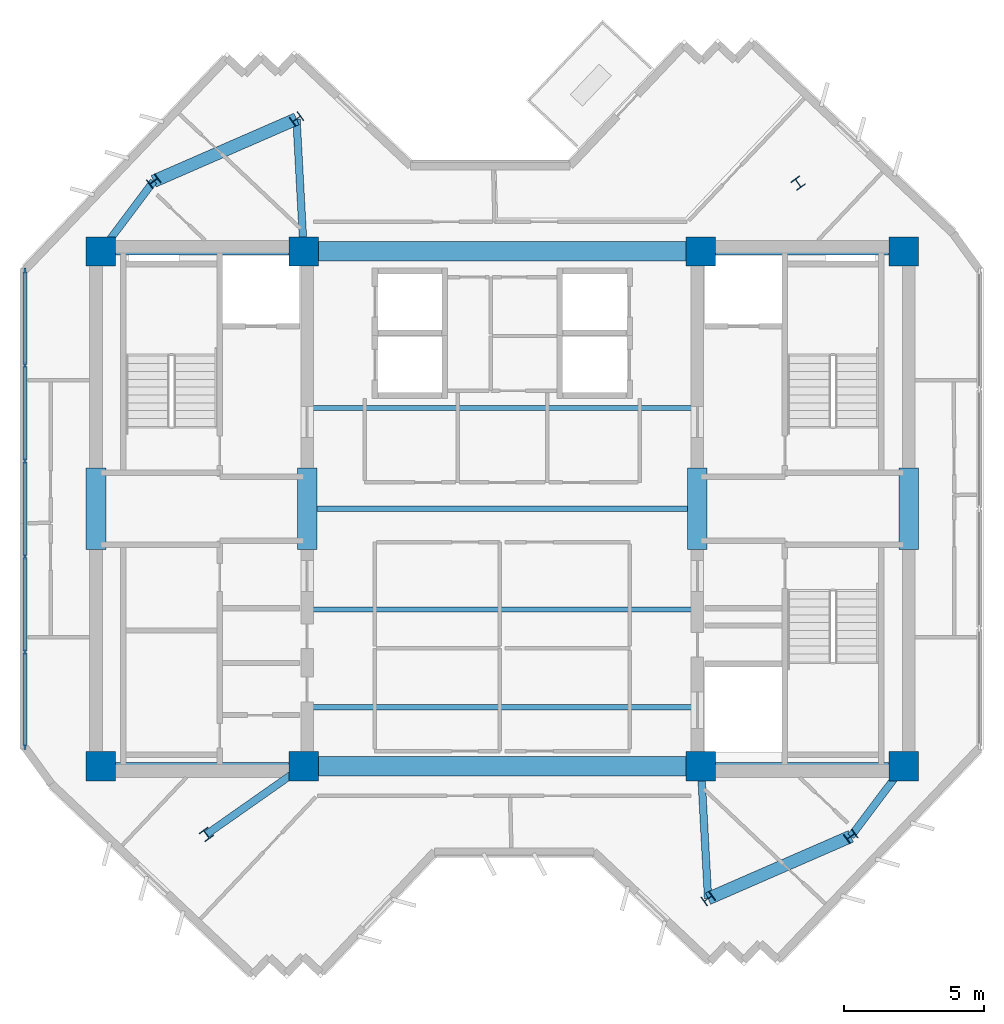
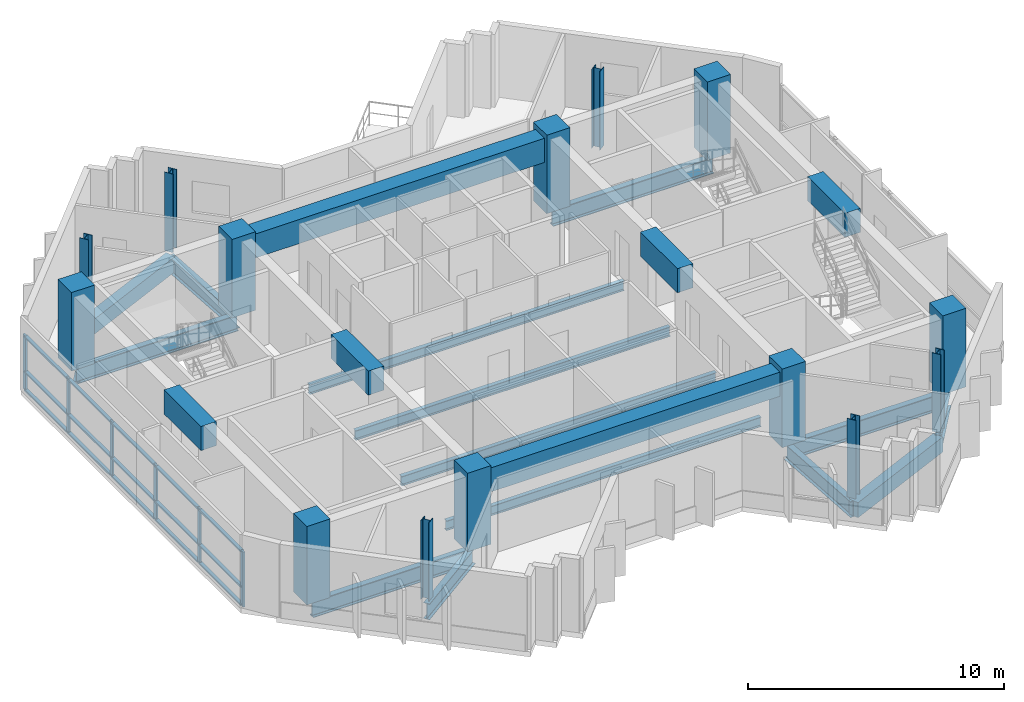
# One storey, part 1 of 9: 21 beams, 21 members, 14 columns, 1 element without a shape of its own.
"""IFC4 building model written with IfcOpenShell, lengths in metres."""

from ifc_helpers import new_model, si_unit, direction, frame, origin, origin_2d, place, context, subcontext, project, spatial, rectangle, i_section, extrude, source, transform, mapped, material, layer, layer_set, material_profile, profile_set, type_object, element, aggregate, save


model = new_model("IFC4")

# Units and contexts
model_context = context("Model", 3, precision=1e-05, world=origin(), true_north=direction((0.0, 1.0)))
body_context = subcontext(model_context, "Body", "Model", "MODEL_VIEW")
ifc_project = project(units=[si_unit("LENGTHUNIT", "METRE"), si_unit("AREAUNIT", "SQUARE_METRE"), si_unit("VOLUMEUNIT", "CUBIC_METRE"), si_unit("PLANEANGLEUNIT", "RADIAN"), si_unit("MASSUNIT", "GRAM", prefix="KILO")], contexts=[model_context])

# Site, building, storey
site_placement = place(None, origin())
site = spatial("IfcSite", under=ifc_project, at=site_placement, CompositionType="ELEMENT")
building_placement = place(site_placement, origin())
building = spatial("IfcBuilding", under=site, at=building_placement, Name="Zahravan Cultural Tower", CompositionType="ELEMENT")
storey_placement = place(building_placement, frame((0.0, 0.0, 302.85009765625)))
storey = spatial("IfcBuildingStorey", under=building, at=storey_placement, Name="L73", CompositionType="ELEMENT", Elevation=302.85009765625)

# Columns
ifc_material_1 = material(Name="Concrete C50/60", Category="concrete")
ifc_material_profile_1 = material_profile(ifc_material_1, rectangle(XDim=1.050048828125, YDim=1.050048828125, at=origin_2d()), Name="RC1050X1050")
ifc_profile_set_1 = profile_set([ifc_material_profile_1], Name="Concrete C50/60")
column_type_1 = type_object("IfcColumnType", Name="COL-RC1050", PredefinedType="COLUMN", material=ifc_profile_set_1)
shared_shape_1 = source(origin(), body_context, "Body", "SweptSolid", [
    extrude(rectangle(XDim=1.050048828125, YDim=1.050048828125, at=origin_2d()), origin(), (0.0, 0.0, 1.0), 3.75),
])
for number, where, z_axis, x_axis, name in (
    (1, (21.64990234375, 17.800048828125, 0.0), (0.0, 0.0, 1.0), (1.0, 0.0, 0.0), "L73 Column CC-W1"),
    (2, (28.89990234375, 17.800048828125, 0.0), (0.0, 0.0, 1.0), (1.0, 0.0, 0.0), "L73 Column CC-W2"),
    (3, (21.64990234375, 36.199951171875, 0.0), (0.0, 0.0, 1.0), (1.0, 0.0, 0.0), "L73 Column CC-W3"),
    (4, (28.89990234375, 36.199951171875, 0.0), (0.0, 0.0, 1.0), (1.0, 0.0, 0.0), "L73 Column CC-W4"),
    (5, (43.10009765625, 17.800048828125, 0.0), (0.0, 0.0, 1.0), (1.0, 0.0, 0.0), "L73 Column CC-E1"),
    (6, (50.35009765625, 17.800048828125, 0.0), (0.0, 0.0, 1.0), (1.0, 0.0, 0.0), "L73 Column CC-E2"),
    (7, (43.10009765625, 36.199951171875, 0.0), (0.0, 0.0, 1.0), (1.0, 0.0, 0.0), "L73 Column CC-E3"),
    (8, (50.35009765625, 36.199951171875, 0.0), (0.0, 0.0, 1.0), (1.0, 0.0, 0.0), "L73 Column CC-E4"),
):
    element("IfcColumn", number, at=place(storey_placement, frame(where, z_axis=z_axis, x_axis=x_axis)), inside=storey, type_object=column_type_1, Name=name, PredefinedType="COLUMN", context=body_context, shape_type="MappedRepresentation", body=[
        mapped(shared_shape_1, transform((0.0, 0.0, 0.0), x_axis=(1.0, 0.0, 0.0), y_axis=(0.0, 1.0, 0.0), z_axis=(0.0, 0.0, 1.0), scale=1.0)),
    ])
ifc_material_2 = material(Name="Steel ASTM A992 Grade 50", Category="steel")
ifc_material_profile_2 = material_profile(ifc_material_2, i_section(OverallWidth=0.3740234375, OverallDepth=0.3720703125, WebThickness=0.016357421875, FlangeThickness=0.026123046875, FilletRadius=0.01806640625, at=origin_2d()), Name="W14X132")
ifc_profile_set_2 = profile_set([ifc_material_profile_2], Name="Steel ASTM A992 Grade 50")
column_type_2 = type_object("IfcColumnType", Name="COL-W14X132", PredefinedType="COLUMN", material=ifc_profile_set_2)
shared_shape_2 = source(origin(), body_context, "Body", "SweptSolid", [
    extrude(i_section(OverallWidth=0.3740234375, OverallDepth=0.3720703125, WebThickness=0.016357421875, FlangeThickness=0.026123046875, FilletRadius=0.01806640625, at=origin_2d()), origin(), (0.0, 0.0, 1.0), 3.75),
])
for number, where, z_axis, x_axis, name in (
    (9, (46.577880859375, 38.640625, 0.0), (0.0, 0.0, 1.0), (0.809016994375, 0.587785252292, 0.0), "L73 Column Z3C-E2"),
    (10, (28.642578125, 40.937255859375, 0.0), (0.0, 0.0, 1.0), (-0.587785252292, 0.809016994375, 0.0), "L73 Column Z3C-N1"),
    (11, (23.536376953125, 38.710693359375, 0.0), (0.0, 0.0, 1.0), (-0.587785252292, 0.809016994375, 0.0), "L73 Column Z3C-N2"),
    (12, (25.422119140625, 15.359375, 0.0), (0.0, 0.0, 1.0), (0.809016994375, 0.587785252292, 0.0), "L73 Column Z3C-W2"),
    (13, (43.357421875, 13.062744140625, 0.0), (0.0, 0.0, 1.0), (-0.587785252292, 0.809016994375, 0.0), "L73 Column Z3C-S1"),
    (14, (48.463623046875, 15.289306640625, 0.0), (0.0, 0.0, 1.0), (-0.587785252292, 0.809016994375, 0.0), "L73 Column Z3C-S2"),
):
    element("IfcColumn", number, at=place(storey_placement, frame(where, z_axis=z_axis, x_axis=x_axis)), inside=storey, type_object=column_type_2, Name=name, PredefinedType="COLUMN", context=body_context, shape_type="MappedRepresentation", body=[
        mapped(shared_shape_2, transform((0.0, 0.0, 0.0), x_axis=(1.0, 0.0, 0.0), y_axis=(0.0, 1.0, 0.0), z_axis=(0.0, 0.0, 1.0), scale=1.0)),
    ])

# Beams
ifc_material_profile_3 = material_profile(ifc_material_1, rectangle(XDim=0.699951171875, YDim=1.14990234375, at=origin_2d()), Name="RC700X1150")
ifc_profile_set_3 = profile_set([ifc_material_profile_3], Name="Concrete C50/60")
beam_type_1 = type_object("IfcBeamType", Name="BM-LN-RC700X1150", PredefinedType="LINTEL", material=ifc_profile_set_3)
shared_shape_3 = source(origin(), body_context, "Body", "SweptSolid", [
    extrude(rectangle(XDim=0.699951171875, YDim=1.14990234375, at=origin_2d()), origin(), (0.0, 0.0, 1.0), 14.2001953125),
])
for number, where, z_axis, x_axis, name in (
    (15, (28.89990234375, 17.800048828125, 2.9248046875), (1.0, 0.0, 0.0), (0.0, 1.0, 0.0), "L73 Beam LN-L73-S"),
    (16, (28.89990234375, 36.199951171875, 2.9248046875), (1.0, 0.0, 0.0), (0.0, 1.0, 0.0), "L73 Beam LN-L73-N"),
):
    element("IfcBeam", number, at=place(storey_placement, frame(where, z_axis=z_axis, x_axis=x_axis)), inside=storey, type_object=beam_type_1, Name=name, PredefinedType="LINTEL", context=body_context, shape_type="MappedRepresentation", body=[
        mapped(shared_shape_3, transform((0.0, 0.0, 0.0), x_axis=(1.0, 0.0, 0.0), y_axis=(0.0, 1.0, 0.0), z_axis=(0.0, 0.0, 1.0), scale=1.0)),
    ])
shared_shape_4 = source(origin(), body_context, "Body", "SweptSolid", [
    extrude(rectangle(XDim=0.699951171875, YDim=1.14990234375, at=origin_2d()), origin(), (0.0, 0.0, 1.0), 2.89990234375),
])
for number, where, z_axis, x_axis, name in (
    (17, (21.47509765625, 25.550048828125, 2.9248046875), (0.0, 1.0, 0.0), (-1.0, 0.0, 0.0), "L73 Beam LN-L73-PWW"),
    (18, (29.02490234375, 25.550048828125, 2.9248046875), (0.0, 1.0, 0.0), (-1.0, 0.0, 0.0), "L73 Beam LN-L73-PWE"),
    (19, (42.97509765625, 25.550048828125, 2.9248046875), (0.0, 1.0, 0.0), (-1.0, 0.0, 0.0), "L73 Beam LN-L73-PEW"),
    (20, (50.52490234375, 25.550048828125, 2.9248046875), (0.0, 1.0, 0.0), (-1.0, 0.0, 0.0), "L73 Beam LN-L73-PEE"),
):
    element("IfcBeam", number, at=place(storey_placement, frame(where, z_axis=z_axis, x_axis=x_axis)), inside=storey, type_object=beam_type_1, Name=name, PredefinedType="LINTEL", context=body_context, shape_type="MappedRepresentation", body=[
        mapped(shared_shape_4, transform((0.0, 0.0, 0.0), x_axis=(1.0, 0.0, 0.0), y_axis=(0.0, 1.0, 0.0), z_axis=(0.0, 0.0, 1.0), scale=1.0)),
    ])
ifc_material_profile_4 = material_profile(ifc_material_2, i_section(OverallWidth=0.26611328125, OverallDepth=0.780029296875, WebThickness=0.0166015625, FlangeThickness=0.030029296875, FilletRadius=0.01904296875, at=origin_2d()), Name="W30X148")
ifc_profile_set_4 = profile_set([ifc_material_profile_4], Name="Steel ASTM A992 Grade 50")
beam_type_2 = type_object("IfcBeamType", Name="BM-G-W30X148", PredefinedType="BEAM", material=ifc_profile_set_4)
shared_shape_5 = source(origin(), body_context, "Body", "SweptSolid", [
    extrude(i_section(OverallWidth=0.26611328125, OverallDepth=0.780029296875, WebThickness=0.0166015625, FlangeThickness=0.030029296875, FilletRadius=0.01904296875, at=origin_2d()), origin(), (0.0, 0.0, 1.0), 7.25),
])
for number, where, z_axis, x_axis, name in (
    (21, (21.64990234375, 17.800048828125, -0.64013671875), (1.0, 0.0, 0.0), (0.0, 1.0, 0.0), "L73 Beam BG-L73-01"),
    (22, (21.64990234375, 36.199951171875, -0.64013671875), (1.0, 0.0, 0.0), (0.0, 1.0, 0.0), "L73 Beam BG-L73-02"),
    (23, (43.10009765625, 17.800048828125, -0.64013671875), (1.0, 0.0, 0.0), (0.0, 1.0, 0.0), "L73 Beam BG-L73-04"),
    (24, (43.10009765625, 36.199951171875, -0.64013671875), (1.0, 0.0, 0.0), (0.0, 1.0, 0.0), "L73 Beam BG-L73-05"),
):
    element("IfcBeam", number, at=place(storey_placement, frame(where, z_axis=z_axis, x_axis=x_axis)), inside=storey, type_object=beam_type_2, Name=name, PredefinedType="BEAM", context=body_context, shape_type="MappedRepresentation", body=[
        mapped(shared_shape_5, transform((0.0, 0.0, 0.0), x_axis=(1.0, 0.0, 0.0), y_axis=(0.0, 1.0, 0.0), z_axis=(0.0, 0.0, 1.0), scale=1.0)),
    ])
ifc_material_profile_5 = material_profile(ifc_material_2, i_section(OverallWidth=0.26708984375, OverallDepth=0.761962890625, WebThickness=0.014404296875, FlangeThickness=0.021484375, FilletRadius=0.01904296875, at=origin_2d()), Name="W30X116")
ifc_profile_set_5 = profile_set([ifc_material_profile_5], Name="Steel ASTM A992 Grade 50")
beam_type_3 = type_object("IfcBeamType", Name="BM-G-W30X116", PredefinedType="BEAM", material=ifc_profile_set_5)
shared_shape_6 = source(origin(), body_context, "Body", "SweptSolid", [
    extrude(i_section(OverallWidth=0.26708984375, OverallDepth=0.761962890625, WebThickness=0.014404296875, FlangeThickness=0.021484375, FilletRadius=0.01904296875, at=origin_2d()), origin(), (0.0, 0.0, 1.0), 4.248779296875),
])
beam_placement = place(storey_placement, frame((28.89990234375, 17.800048828125, -0.631103515625), z_axis=(-0.81854294596, -0.574445337365, 0.0), x_axis=(0.574445337365, -0.81854294596, 0.0)))
element("IfcBeam", 25, at=beam_placement, inside=storey, type_object=beam_type_3, Name="L73 Beam BG-L73-07", PredefinedType="BEAM", context=body_context, shape_type="MappedRepresentation", body=[
    mapped(shared_shape_6, transform((0.0, 0.0, 0.0), x_axis=(1.0, 0.0, 0.0), y_axis=(0.0, 1.0, 0.0), z_axis=(0.0, 0.0, 1.0), scale=1.0)),
])
shared_shape_7 = source(origin(), body_context, "Body", "SweptSolid", [
    extrude(i_section(OverallWidth=0.26708984375, OverallDepth=0.761962890625, WebThickness=0.014404296875, FlangeThickness=0.021484375, FilletRadius=0.01904296875, at=origin_2d()), origin(), (0.0, 0.0, 1.0), 4.744384765625),
])
for number, where, z_axis, x_axis, name in (
    (26, (43.10009765625, 17.800048828125, -0.631103515625), (0.054238739845, -0.998527996152, 0.0), (0.998527996152, 0.054238739845, 0.0), "L73 Beam BG-L73-08"),
    (27, (28.89990234375, 36.199951171875, -0.631103515625), (-0.054238739845, 0.998527996152, 0.0), (-0.998527996152, -0.054238739845, 0.0), "L73 Beam BG-L73-10"),
):
    element("IfcBeam", number, at=place(storey_placement, frame(where, z_axis=z_axis, x_axis=x_axis)), inside=storey, type_object=beam_type_3, Name=name, PredefinedType="BEAM", context=body_context, shape_type="MappedRepresentation", body=[
        mapped(shared_shape_7, transform((0.0, 0.0, 0.0), x_axis=(1.0, 0.0, 0.0), y_axis=(0.0, 1.0, 0.0), z_axis=(0.0, 0.0, 1.0), scale=1.0)),
    ])
shared_shape_8 = source(origin(), body_context, "Body", "SweptSolid", [
    extrude(i_section(OverallWidth=0.26708984375, OverallDepth=0.761962890625, WebThickness=0.014404296875, FlangeThickness=0.021484375, FilletRadius=0.01904296875, at=origin_2d()), origin(), (0.0, 0.0, 1.0), 3.140380859375),
])
for number, where, z_axis, x_axis, name in (
    (28, (50.35009765625, 17.800048828125, -0.631103515625), (-0.600696322208, -0.799477284534, 0.0), (0.799477284534, -0.600696322208, 0.0), "L73 Beam BG-L73-09"),
    (29, (21.64990234375, 36.199951171875, -0.631103515625), (0.600696322208, 0.799477284534, 0.0), (-0.799477284534, 0.600696322208, 0.0), "L73 Beam BG-L73-11"),
):
    element("IfcBeam", number, at=place(storey_placement, frame(where, z_axis=z_axis, x_axis=x_axis)), inside=storey, type_object=beam_type_3, Name=name, PredefinedType="BEAM", context=body_context, shape_type="MappedRepresentation", body=[
        mapped(shared_shape_8, transform((0.0, 0.0, 0.0), x_axis=(1.0, 0.0, 0.0), y_axis=(0.0, 1.0, 0.0), z_axis=(0.0, 0.0, 1.0), scale=1.0)),
    ])
ifc_material_3 = material(Name="Concrete C45/55", Category="concrete")
ifc_material_profile_6 = material_profile(ifc_material_3, rectangle(XDim=0.449951171875, YDim=0.719970703125, at=origin_2d()), Name="RC450X720")
ifc_profile_set_6 = profile_set([ifc_material_profile_6], Name="Concrete C45/55")
beam_type_4 = type_object("IfcBeamType", Name="BM-SP-RC450X720", PredefinedType="SPANDREL", material=ifc_profile_set_6)
shared_shape_9 = source(origin(), body_context, "Body", "SweptSolid", [
    extrude(rectangle(XDim=0.449951171875, YDim=0.719970703125, at=origin_2d()), origin(), (0.0, 0.0, 1.0), 5.570556640625),
])
for number, where, z_axis, x_axis, name in (
    (30, (43.357421875, 13.062744140625, -0.610107421875), (0.9166445026, 0.399703459896, 0.0), (-0.399703459896, 0.9166445026, 0.0), "L73 Beam SP-L73-12"),
    (31, (28.642578125, 40.937255859375, -0.610107421875), (-0.9166445026, -0.399703459896, 0.0), (0.399703459896, -0.9166445026, 0.0), "L73 Beam SP-L73-13"),
):
    element("IfcBeam", number, at=place(storey_placement, frame(where, z_axis=z_axis, x_axis=x_axis)), inside=storey, type_object=beam_type_4, Name=name, PredefinedType="SPANDREL", context=body_context, shape_type="MappedRepresentation", body=[
        mapped(shared_shape_9, transform((0.0, 0.0, 0.0), x_axis=(1.0, 0.0, 0.0), y_axis=(0.0, 1.0, 0.0), z_axis=(0.0, 0.0, 1.0), scale=1.0)),
    ])
ifc_material_profile_7 = material_profile(ifc_material_2, i_section(OverallWidth=0.18994140625, OverallDepth=0.45703125, WebThickness=0.009033203125, FlangeThickness=0.014404296875, FilletRadius=0.012939453125, at=origin_2d()), Name="W18X50")
ifc_profile_set_7 = profile_set([ifc_material_profile_7], Name="Steel ASTM A992 Grade 50")
beam_type_5 = type_object("IfcBeamType", Name="BM-J-W18X50", PredefinedType="JOIST", material=ifc_profile_set_7)
shared_shape_10 = source(origin(), body_context, "Body", "SweptSolid", [
    extrude(i_section(OverallWidth=0.18994140625, OverallDepth=0.45703125, WebThickness=0.009033203125, FlangeThickness=0.014404296875, FilletRadius=0.012939453125, at=origin_2d()), origin(), (0.0, 0.0, 1.0), 14.2001953125),
])
for number, where, z_axis, x_axis, name in (
    (32, (28.89990234375, 19.89990234375, -0.478515625), (1.0, 0.0, 0.0), (0.0, 1.0, 0.0), "L73 Beam BJ-L73-14"),
    (33, (28.89990234375, 23.39990234375, -0.478515625), (1.0, 0.0, 0.0), (0.0, 1.0, 0.0), "L73 Beam BJ-L73-15"),
    (34, (28.89990234375, 27.0, -0.478515625), (1.0, 0.0, 0.0), (0.0, 1.0, 0.0), "L73 Beam BJ-L73-16"),
    (35, (28.89990234375, 30.60009765625, -0.478515625), (1.0, 0.0, 0.0), (0.0, 1.0, 0.0), "L73 Beam BJ-L73-17"),
):
    element("IfcBeam", number, at=place(storey_placement, frame(where, z_axis=z_axis, x_axis=x_axis)), inside=storey, type_object=beam_type_5, Name=name, PredefinedType="JOIST", context=body_context, shape_type="MappedRepresentation", body=[
        mapped(shared_shape_10, transform((0.0, 0.0, 0.0), x_axis=(1.0, 0.0, 0.0), y_axis=(0.0, 1.0, 0.0), z_axis=(0.0, 0.0, 1.0), scale=1.0)),
    ])

# Curtain wall, members
ifc_material_4 = material(Name="Anodised bronze-aluminium mullion", Category="aluminium")
ifc_layer = layer(ifc_material_4, 0.199951171875)
ifc_layer_set = layer_set([ifc_layer], Name="Anodised bronze-aluminium mullion")
curtain_wall_type = type_object("IfcCurtainWallType", Name="CW-SYS-2", PredefinedType="USERDEFINED", material=ifc_layer_set)
curtain_wall_placement = place(storey_placement, origin())
curtain_wall = element("IfcCurtainWall", 36, at=curtain_wall_placement, inside=storey, type_object=curtain_wall_type, Name="L73 Recessed Curtain Wall CW-2.2", ObjectType="RECESSED GLAZING", PredefinedType="USERDEFINED")
ifc_material_profile_8 = material_profile(ifc_material_4, rectangle(XDim=0.074951171875, YDim=0.199951171875, at=origin_2d()), Name="AL-M75X200")
ifc_profile_set_8 = profile_set([ifc_material_profile_8], Name="Anodised bronze-aluminium mullion")
member_type_1 = type_object("IfcMemberType", Name="CWM-CW-2", PredefinedType="MULLION", material=ifc_profile_set_8)
shared_shape_11 = source(origin(), body_context, "Body", "SweptSolid", [
    extrude(rectangle(XDim=0.074951171875, YDim=0.199951171875, at=origin_2d()), origin(), (0.0, 0.0, 1.0), 2.619873046875),
])
member_1_placement = place(storey_placement, frame((18.93994140625, 18.49560546875, 0.0), z_axis=(0.0, 0.0, 1.0), x_axis=(-1.0, 0.0, 0.0)))
member_1 = element("IfcMember", 37, at=member_1_placement, type_object=member_type_1, Name="CW-2 mullion 1", PredefinedType="MULLION", context=body_context, shape_type="MappedRepresentation", body=[
    mapped(shared_shape_11, transform((0.0, 0.0, 0.0), x_axis=(1.0, 0.0, 0.0), y_axis=(0.0, 1.0, 0.0), z_axis=(0.0, 0.0, 1.0), scale=1.0)),
])
member_2_placement = place(storey_placement, frame((18.93994140625, 21.874755859375, 0.0), z_axis=(0.0, 0.0, 1.0), x_axis=(-1.0, 0.0, 0.0)))
member_2 = element("IfcMember", 38, at=member_2_placement, type_object=member_type_1, Name="CW-2 mullion 2", PredefinedType="MULLION", context=body_context, shape_type="MappedRepresentation", body=[
    mapped(shared_shape_11, transform((0.0, 0.0, 0.0), x_axis=(1.0, 0.0, 0.0), y_axis=(0.0, 1.0, 0.0), z_axis=(0.0, 0.0, 1.0), scale=1.0)),
])
member_3_placement = place(storey_placement, frame((18.93994140625, 25.29150390625, 0.0), z_axis=(0.0, 0.0, 1.0), x_axis=(-1.0, 0.0, 0.0)))
member_3 = element("IfcMember", 39, at=member_3_placement, type_object=member_type_1, Name="CW-2 mullion 3", PredefinedType="MULLION", context=body_context, shape_type="MappedRepresentation", body=[
    mapped(shared_shape_11, transform((0.0, 0.0, 0.0), x_axis=(1.0, 0.0, 0.0), y_axis=(0.0, 1.0, 0.0), z_axis=(0.0, 0.0, 1.0), scale=1.0)),
])
member_4_placement = place(storey_placement, frame((18.93994140625, 28.70849609375, 0.0), z_axis=(0.0, 0.0, 1.0), x_axis=(-1.0, 0.0, 0.0)))
member_4 = element("IfcMember", 40, at=member_4_placement, type_object=member_type_1, Name="CW-2 mullion 4", PredefinedType="MULLION", context=body_context, shape_type="MappedRepresentation", body=[
    mapped(shared_shape_11, transform((0.0, 0.0, 0.0), x_axis=(1.0, 0.0, 0.0), y_axis=(0.0, 1.0, 0.0), z_axis=(0.0, 0.0, 1.0), scale=1.0)),
])
member_5_placement = place(storey_placement, frame((18.93994140625, 32.125244140625, 0.0), z_axis=(0.0, 0.0, 1.0), x_axis=(-1.0, 0.0, 0.0)))
member_5 = element("IfcMember", 41, at=member_5_placement, type_object=member_type_1, Name="CW-2 mullion 5", PredefinedType="MULLION", context=body_context, shape_type="MappedRepresentation", body=[
    mapped(shared_shape_11, transform((0.0, 0.0, 0.0), x_axis=(1.0, 0.0, 0.0), y_axis=(0.0, 1.0, 0.0), z_axis=(0.0, 0.0, 1.0), scale=1.0)),
])
member_6_placement = place(storey_placement, frame((18.93994140625, 35.50439453125, 0.0), z_axis=(0.0, 0.0, 1.0), x_axis=(-1.0, 0.0, 0.0)))
member_6 = element("IfcMember", 42, at=member_6_placement, type_object=member_type_1, Name="CW-2 mullion 6", PredefinedType="MULLION", context=body_context, shape_type="MappedRepresentation", body=[
    mapped(shared_shape_11, transform((0.0, 0.0, 0.0), x_axis=(1.0, 0.0, 0.0), y_axis=(0.0, 1.0, 0.0), z_axis=(0.0, 0.0, 1.0), scale=1.0)),
])
ifc_material_profile_9 = material_profile(ifc_material_4, rectangle(XDim=0.14990234375, YDim=0.074951171875, at=origin_2d()), Name="AL-T75X150")
ifc_profile_set_9 = profile_set([ifc_material_profile_9], Name="Anodised bronze-aluminium mullion")
member_type_2 = type_object("IfcMemberType", Name="CWT-CW-2", PredefinedType="USERDEFINED", material=ifc_profile_set_9)
shared_shape_12 = source(origin(), body_context, "Body", "SweptSolid", [
    extrude(rectangle(XDim=0.14990234375, YDim=0.074951171875, at=origin_2d()), origin(), (0.0, 0.0, 1.0), 3.304443359375),
])
member_7_placement = place(storey_placement, frame((18.93994140625, 18.532958984375, 0.037353515625), z_axis=(0.0, 1.0, 0.0), x_axis=(-1.0, 0.0, 0.0)))
member_7 = element("IfcMember", 43, at=member_7_placement, type_object=member_type_2, Name="CW-2 transom 1.1", ObjectType="TRANSOM", PredefinedType="USERDEFINED", context=body_context, shape_type="MappedRepresentation", body=[
    mapped(shared_shape_12, transform((0.0, 0.0, 0.0), x_axis=(1.0, 0.0, 0.0), y_axis=(0.0, 1.0, 0.0), z_axis=(0.0, 0.0, 1.0), scale=1.0)),
])
member_8_placement = place(storey_placement, frame((18.93994140625, 18.532958984375, 0.89990234375), z_axis=(0.0, 1.0, 0.0), x_axis=(-1.0, 0.0, 0.0)))
member_8 = element("IfcMember", 44, at=member_8_placement, type_object=member_type_2, Name="CW-2 transom 1.2", ObjectType="TRANSOM", PredefinedType="USERDEFINED", context=body_context, shape_type="MappedRepresentation", body=[
    mapped(shared_shape_12, transform((0.0, 0.0, 0.0), x_axis=(1.0, 0.0, 0.0), y_axis=(0.0, 1.0, 0.0), z_axis=(0.0, 0.0, 1.0), scale=1.0)),
])
member_9_placement = place(storey_placement, frame((18.93994140625, 18.532958984375, 2.58251953125), z_axis=(0.0, 1.0, 0.0), x_axis=(-1.0, 0.0, 0.0)))
member_9 = element("IfcMember", 45, at=member_9_placement, type_object=member_type_2, Name="CW-2 transom 1.3", ObjectType="TRANSOM", PredefinedType="USERDEFINED", context=body_context, shape_type="MappedRepresentation", body=[
    mapped(shared_shape_12, transform((0.0, 0.0, 0.0), x_axis=(1.0, 0.0, 0.0), y_axis=(0.0, 1.0, 0.0), z_axis=(0.0, 0.0, 1.0), scale=1.0)),
])
member_10_placement = place(storey_placement, frame((18.93994140625, 32.16259765625, 0.037353515625), z_axis=(0.0, 1.0, 0.0), x_axis=(-1.0, 0.0, 0.0)))
member_10 = element("IfcMember", 46, at=member_10_placement, type_object=member_type_2, Name="CW-2 transom 5.1", ObjectType="TRANSOM", PredefinedType="USERDEFINED", context=body_context, shape_type="MappedRepresentation", body=[
    mapped(shared_shape_12, transform((0.0, 0.0, 0.0), x_axis=(1.0, 0.0, 0.0), y_axis=(0.0, 1.0, 0.0), z_axis=(0.0, 0.0, 1.0), scale=1.0)),
])
member_11_placement = place(storey_placement, frame((18.93994140625, 32.16259765625, 0.89990234375), z_axis=(0.0, 1.0, 0.0), x_axis=(-1.0, 0.0, 0.0)))
member_11 = element("IfcMember", 47, at=member_11_placement, type_object=member_type_2, Name="CW-2 transom 5.2", ObjectType="TRANSOM", PredefinedType="USERDEFINED", context=body_context, shape_type="MappedRepresentation", body=[
    mapped(shared_shape_12, transform((0.0, 0.0, 0.0), x_axis=(1.0, 0.0, 0.0), y_axis=(0.0, 1.0, 0.0), z_axis=(0.0, 0.0, 1.0), scale=1.0)),
])
member_12_placement = place(storey_placement, frame((18.93994140625, 32.16259765625, 2.58251953125), z_axis=(0.0, 1.0, 0.0), x_axis=(-1.0, 0.0, 0.0)))
member_12 = element("IfcMember", 48, at=member_12_placement, type_object=member_type_2, Name="CW-2 transom 5.3", ObjectType="TRANSOM", PredefinedType="USERDEFINED", context=body_context, shape_type="MappedRepresentation", body=[
    mapped(shared_shape_12, transform((0.0, 0.0, 0.0), x_axis=(1.0, 0.0, 0.0), y_axis=(0.0, 1.0, 0.0), z_axis=(0.0, 0.0, 1.0), scale=1.0)),
])
shared_shape_13 = source(origin(), body_context, "Body", "SweptSolid", [
    extrude(rectangle(XDim=0.14990234375, YDim=0.074951171875, at=origin_2d()), origin(), (0.0, 0.0, 1.0), 3.341796875),
])
member_13_placement = place(storey_placement, frame((18.93994140625, 21.912353515625, 0.037353515625), z_axis=(0.0, 1.0, 0.0), x_axis=(-1.0, 0.0, 0.0)))
member_13 = element("IfcMember", 49, at=member_13_placement, type_object=member_type_2, Name="CW-2 transom 2.1", ObjectType="TRANSOM", PredefinedType="USERDEFINED", context=body_context, shape_type="MappedRepresentation", body=[
    mapped(shared_shape_13, transform((0.0, 0.0, 0.0), x_axis=(1.0, 0.0, 0.0), y_axis=(0.0, 1.0, 0.0), z_axis=(0.0, 0.0, 1.0), scale=1.0)),
])
member_14_placement = place(storey_placement, frame((18.93994140625, 21.912353515625, 0.89990234375), z_axis=(0.0, 1.0, 0.0), x_axis=(-1.0, 0.0, 0.0)))
member_14 = element("IfcMember", 50, at=member_14_placement, type_object=member_type_2, Name="CW-2 transom 2.2", ObjectType="TRANSOM", PredefinedType="USERDEFINED", context=body_context, shape_type="MappedRepresentation", body=[
    mapped(shared_shape_13, transform((0.0, 0.0, 0.0), x_axis=(1.0, 0.0, 0.0), y_axis=(0.0, 1.0, 0.0), z_axis=(0.0, 0.0, 1.0), scale=1.0)),
])
member_15_placement = place(storey_placement, frame((18.93994140625, 21.912353515625, 2.58251953125), z_axis=(0.0, 1.0, 0.0), x_axis=(-1.0, 0.0, 0.0)))
member_15 = element("IfcMember", 51, at=member_15_placement, type_object=member_type_2, Name="CW-2 transom 2.3", ObjectType="TRANSOM", PredefinedType="USERDEFINED", context=body_context, shape_type="MappedRepresentation", body=[
    mapped(shared_shape_13, transform((0.0, 0.0, 0.0), x_axis=(1.0, 0.0, 0.0), y_axis=(0.0, 1.0, 0.0), z_axis=(0.0, 0.0, 1.0), scale=1.0)),
])
member_16_placement = place(storey_placement, frame((18.93994140625, 25.3291015625, 0.037353515625), z_axis=(0.0, 1.0, 0.0), x_axis=(-1.0, 0.0, 0.0)))
member_16 = element("IfcMember", 52, at=member_16_placement, type_object=member_type_2, Name="CW-2 transom 3.1", ObjectType="TRANSOM", PredefinedType="USERDEFINED", context=body_context, shape_type="MappedRepresentation", body=[
    mapped(shared_shape_13, transform((0.0, 0.0, 0.0), x_axis=(1.0, 0.0, 0.0), y_axis=(0.0, 1.0, 0.0), z_axis=(0.0, 0.0, 1.0), scale=1.0)),
])
member_17_placement = place(storey_placement, frame((18.93994140625, 25.3291015625, 0.89990234375), z_axis=(0.0, 1.0, 0.0), x_axis=(-1.0, 0.0, 0.0)))
member_17 = element("IfcMember", 53, at=member_17_placement, type_object=member_type_2, Name="CW-2 transom 3.2", ObjectType="TRANSOM", PredefinedType="USERDEFINED", context=body_context, shape_type="MappedRepresentation", body=[
    mapped(shared_shape_13, transform((0.0, 0.0, 0.0), x_axis=(1.0, 0.0, 0.0), y_axis=(0.0, 1.0, 0.0), z_axis=(0.0, 0.0, 1.0), scale=1.0)),
])
member_18_placement = place(storey_placement, frame((18.93994140625, 25.3291015625, 2.58251953125), z_axis=(0.0, 1.0, 0.0), x_axis=(-1.0, 0.0, 0.0)))
member_18 = element("IfcMember", 54, at=member_18_placement, type_object=member_type_2, Name="CW-2 transom 3.3", ObjectType="TRANSOM", PredefinedType="USERDEFINED", context=body_context, shape_type="MappedRepresentation", body=[
    mapped(shared_shape_13, transform((0.0, 0.0, 0.0), x_axis=(1.0, 0.0, 0.0), y_axis=(0.0, 1.0, 0.0), z_axis=(0.0, 0.0, 1.0), scale=1.0)),
])
member_19_placement = place(storey_placement, frame((18.93994140625, 28.745849609375, 0.037353515625), z_axis=(0.0, 1.0, 0.0), x_axis=(-1.0, 0.0, 0.0)))
member_19 = element("IfcMember", 55, at=member_19_placement, type_object=member_type_2, Name="CW-2 transom 4.1", ObjectType="TRANSOM", PredefinedType="USERDEFINED", context=body_context, shape_type="MappedRepresentation", body=[
    mapped(shared_shape_13, transform((0.0, 0.0, 0.0), x_axis=(1.0, 0.0, 0.0), y_axis=(0.0, 1.0, 0.0), z_axis=(0.0, 0.0, 1.0), scale=1.0)),
])
member_20_placement = place(storey_placement, frame((18.93994140625, 28.745849609375, 0.89990234375), z_axis=(0.0, 1.0, 0.0), x_axis=(-1.0, 0.0, 0.0)))
member_20 = element("IfcMember", 56, at=member_20_placement, type_object=member_type_2, Name="CW-2 transom 4.2", ObjectType="TRANSOM", PredefinedType="USERDEFINED", context=body_context, shape_type="MappedRepresentation", body=[
    mapped(shared_shape_13, transform((0.0, 0.0, 0.0), x_axis=(1.0, 0.0, 0.0), y_axis=(0.0, 1.0, 0.0), z_axis=(0.0, 0.0, 1.0), scale=1.0)),
])
member_21_placement = place(storey_placement, frame((18.93994140625, 28.745849609375, 2.58251953125), z_axis=(0.0, 1.0, 0.0), x_axis=(-1.0, 0.0, 0.0)))
member_21 = element("IfcMember", 57, at=member_21_placement, type_object=member_type_2, Name="CW-2 transom 4.3", ObjectType="TRANSOM", PredefinedType="USERDEFINED", context=body_context, shape_type="MappedRepresentation", body=[
    mapped(shared_shape_13, transform((0.0, 0.0, 0.0), x_axis=(1.0, 0.0, 0.0), y_axis=(0.0, 1.0, 0.0), z_axis=(0.0, 0.0, 1.0), scale=1.0)),
])
aggregate(curtain_wall, [member_1, member_2, member_3, member_4, member_5, member_6, member_7, member_8, member_9, member_13, member_14, member_15, member_16, member_17, member_18, member_19, member_20, member_21, member_10, member_11, member_12])

save(model, "model.ifc")
